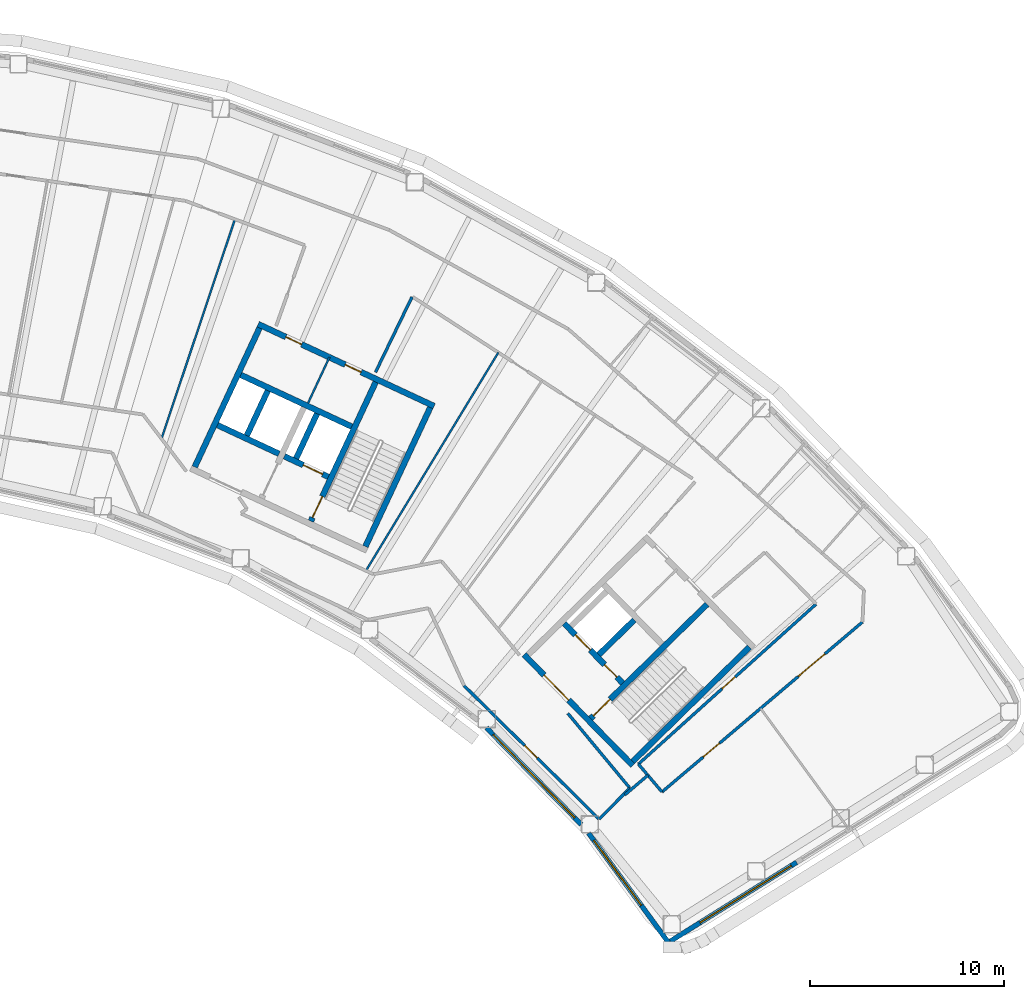
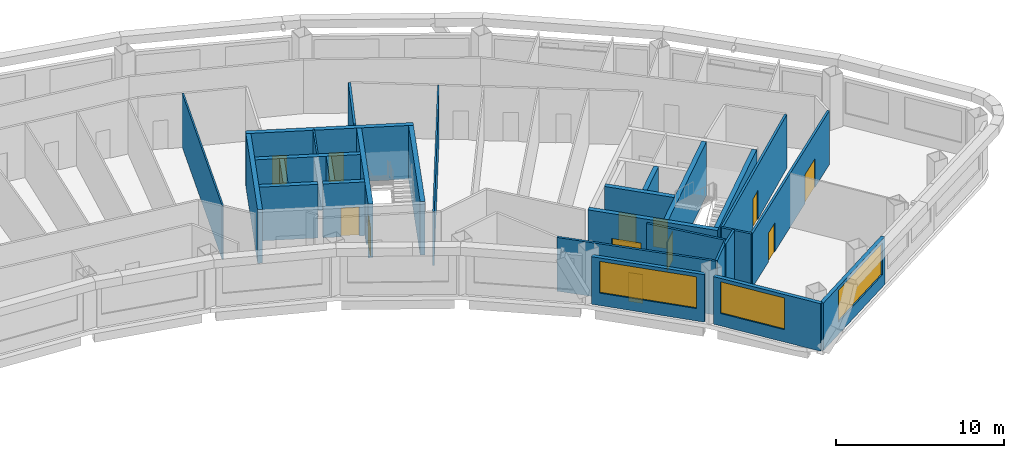
# One storey, part 9 of 17: 28 walls, 12 doors, 3 windows, 15 openings.
"""IFC4 building model written with IfcOpenShell, lengths in metres."""

from ifc_helpers import new_model, si_unit, direction, frame, frame_2d, origin, place, context, subcontext, project, spatial, rectangle, extrude, material, layer, layer_set, type_object, element, fill, save


model = new_model("IFC4")

# Units and contexts
model_context = context("Model", 3, precision=1e-05, world=origin(), true_north=direction((0.0, 1.0)))
body_context = subcontext(model_context, "Body", "Model", "MODEL_VIEW")
ifc_project = project(units=[si_unit("LENGTHUNIT", "METRE"), si_unit("AREAUNIT", "SQUARE_METRE"), si_unit("VOLUMEUNIT", "CUBIC_METRE"), si_unit("PLANEANGLEUNIT", "RADIAN"), si_unit("MASSUNIT", "GRAM", prefix="KILO")], contexts=[model_context])

# Site, building, storey
site_placement = place(None, origin())
site = spatial("IfcSite", under=ifc_project, at=site_placement, CompositionType="ELEMENT")
building_placement = place(site_placement, origin())
building = spatial("IfcBuilding", under=site, at=building_placement, Name="Tuul Gate Civic Tower", CompositionType="ELEMENT")
storey_placement = place(building_placement, frame((0.0, 0.0, 222.10009765625)))
storey = spatial("IfcBuildingStorey", under=building, at=storey_placement, Name="Level 50", CompositionType="ELEMENT", Elevation=222.10009765625)

# Wall, opening, door
ifc_material_1 = material(Name="Concrete C50/60", Category="concrete")
ifc_layer_1 = layer(ifc_material_1, 0.300048828125)
ifc_layer_set_1 = layer_set([ifc_layer_1], Name="Concrete C50/60")
wall_type_1 = type_object("IfcWallType", Name="Core wall C50/60", PredefinedType="SHEAR", material=ifc_layer_set_1)
wall_1_placement = place(storey_placement, frame((48.22509765625, -18.327880859375, 0.0), z_axis=(0.0, 0.0, 1.0), x_axis=(-0.700021979774, 0.714121297703, 0.0)))
wall_1 = element("IfcWall", 1, at=wall_1_placement, inside=storey, type_object=wall_type_1, Name="Core wall", PredefinedType="SHEAR", context=body_context, shape_type="SweptSolid", body=[
    extrude(rectangle(XDim=8.0, YDim=0.300048828125, at=frame_2d((4.0, 0.0))), origin(), (0.0, 0.0, 1.0), 3.89990234375),
])
opening_1_placement = place(wall_1_placement, frame((4.72509765625, 0.0, 0.0)))
opening_1 = element("IfcOpeningElement", 2, at=opening_1_placement, cuts=wall_1, Name="Opening LB-E1-LOBBY-1", PredefinedType="OPENING", context=body_context, shape_type="SweptSolid", body=[
    extrude(rectangle(XDim=1.800048828125, YDim=2.10009765625, at=frame_2d((0.89990234375, 1.050048828125))), frame((0.0, 0.16015625, 0.0), z_axis=(0.0, -1.0, 0.0), x_axis=(1.0, 0.0, 0.0)), (0.0, 0.0, 1.0), 0.320068359375),
])
ifc_material_2 = material(Name="Steel", Category="steel")
door_type_1 = type_object("IfcDoorType", Name="Lobby door", OperationType="DOUBLE_DOOR_SINGLE_SWING", PredefinedType="DOOR", material=ifc_material_2)
door_1_placement = place(opening_1_placement, frame((1.800048828125, 0.0, 0.0), z_axis=(0.0, 0.0, 1.0), x_axis=(-1.0, 0.0, 0.0)))
door_1 = element("IfcDoor", 3, at=door_1_placement, inside=storey, type_object=door_type_1, Name="Lobby door E1-LOBBY", OperationType="DOUBLE_DOOR_SINGLE_SWING", OverallHeight=2.10009765625, OverallWidth=1.800048828125, PredefinedType="DOOR", context=body_context, shape_type="SweptSolid", body=[
    extrude(rectangle(XDim=1.800048828125, YDim=2.10009765625, at=frame_2d((0.900146484375, 1.050048828125))), frame((0.0, 0.02490234375, 0.0), z_axis=(0.0, -1.0, 0.0), x_axis=(1.0, 0.0, 0.0)), (0.0, 0.0, 1.0), 0.050048828125),
])
fill(opening_1, door_1)

# Wall, openings, doors
wall_2_placement = place(storey_placement, frame((47.701904296875, -14.079833984375, 0.0), z_axis=(0.0, 0.0, 1.0), x_axis=(-0.700002721075, 0.714140175657, 0.0)))
wall_2 = element("IfcWall", 4, at=wall_2_placement, inside=storey, type_object=wall_type_1, Name="Core wall", PredefinedType="SHEAR", context=body_context, shape_type="SweptSolid", body=[
    extrude(rectangle(XDim=4.300048828125, YDim=0.300048828125, at=frame_2d((2.14990234375, 0.0))), origin(), (0.0, 0.0, 1.0), 3.89990234375),
])
opening_2_placement = place(wall_2_placement, frame((0.425048828125, 0.0, 0.0)))
opening_2 = element("IfcOpeningElement", 5, at=opening_2_placement, cuts=wall_2, Name="Opening FB-E1A1", PredefinedType="OPENING", context=body_context, shape_type="SweptSolid", body=[
    extrude(rectangle(XDim=0.89990234375, YDim=2.10009765625, at=frame_2d((0.449951171875, 1.050048828125))), frame((0.0, 0.16015625, 0.0), z_axis=(0.0, -1.0, 0.0), x_axis=(1.0, 0.0, 0.0)), (0.0, 0.0, 1.0), 0.320068359375),
])
opening_3_placement = place(wall_2_placement, frame((2.375, 0.0, 0.0)))
opening_3 = element("IfcOpeningElement", 6, at=opening_3_placement, cuts=wall_2, Name="Opening LD-M3", PredefinedType="OPENING", context=body_context, shape_type="SweptSolid", body=[
    extrude(rectangle(XDim=1.10009765625, YDim=2.10009765625, at=frame_2d((0.550048828125, 1.050048828125))), frame((0.0, 0.16015625, 0.0), z_axis=(0.0, -1.0, 0.0), x_axis=(1.0, 0.0, 0.0)), (0.0, 0.0, 1.0), 0.320068359375),
])
ifc_material_3 = material(Name="Stainless steel", Category="steel")
door_type_2 = type_object("IfcDoorType", Name="Landing door", OperationType="DOUBLE_DOOR_SLIDING", PredefinedType="DOOR", material=ifc_material_3)
door_2_placement = place(opening_3_placement, origin())
door_2 = element("IfcDoor", 7, at=door_2_placement, inside=storey, type_object=door_type_2, Name="Mid-rise lift M3 landing door", OperationType="DOUBLE_DOOR_SLIDING", OverallHeight=2.10009765625, OverallWidth=1.10009765625, PredefinedType="DOOR", context=body_context, shape_type="SweptSolid", body=[
    extrude(rectangle(XDim=1.10009765625, YDim=2.10009765625, at=frame_2d((0.550048828125, 1.050048828125))), frame((0.0, 0.02490234375, 0.0), z_axis=(0.0, -1.0, 0.0), x_axis=(1.0, 0.0, 0.0)), (0.0, 0.0, 1.0), 0.050048828125),
])
fill(opening_3, door_2)
ifc_material_4 = material(Name="Steel", Category="steel")
door_type_3 = type_object("IfcDoorType", Name="Store door", OperationType="NOTDEFINED", PredefinedType="DOOR", material=ifc_material_4)
door_3_placement = place(opening_2_placement, frame((0.89990234375, 0.0, 0.0), z_axis=(0.0, 0.0, 1.0), x_axis=(-1.0, 0.0, 0.0)))
door_3 = element("IfcDoor", 8, at=door_3_placement, inside=storey, type_object=door_type_3, Name="Store door E1A1", OperationType="SINGLE_SWING_RIGHT", OverallHeight=2.10009765625, OverallWidth=0.89990234375, PredefinedType="DOOR", context=body_context, shape_type="SweptSolid", body=[
    extrude(rectangle(XDim=0.89990234375, YDim=2.10009765625, at=frame_2d((0.449951171875, 1.050048828125))), frame((0.0, 0.02490234375, 0.0), z_axis=(0.0, -1.0, 0.0), x_axis=(1.0, 0.0, 0.0)), (0.0, 0.0, 1.0), 0.050048828125),
])
fill(opening_2, door_3)

# Wall
wall_3_placement = place(storey_placement, frame((48.227294921875, -18.115966796875, 0.0), z_axis=(0.0, 0.0, 1.0), x_axis=(0.714105315431, 0.700038283577, 0.0)))
element("IfcWall", 9, at=wall_3_placement, inside=storey, type_object=wall_type_1, Name="Core wall", PredefinedType="SHEAR", context=body_context, shape_type="SweptSolid", body=[
    extrude(rectangle(XDim=8.400146484375, YDim=0.300048828125, at=frame_2d((4.2001953125, 0.0))), origin(), (0.0, 0.0, 1.0), 3.89990234375),
])

# Wall, opening, door
wall_4_placement = place(storey_placement, frame((46.05712890625, -15.902099609375, 0.0), z_axis=(0.0, 0.0, 1.0), x_axis=(0.714134086973, 0.700008932674, 0.0)))
wall_4 = element("IfcWall", 10, at=wall_4_placement, inside=storey, type_object=wall_type_1, Name="Core wall", PredefinedType="SHEAR", context=body_context, shape_type="SweptSolid", body=[
    extrude(rectangle(XDim=8.400146484375, YDim=0.300048828125, at=frame_2d((4.2001953125, 0.0))), origin(), (0.0, 0.0, 1.0), 3.89990234375),
])
opening_4_placement = place(wall_4_placement, frame((0.199951171875, 0.0, 0.0)))
opening_4 = element("IfcOpeningElement", 11, at=opening_4_placement, cuts=wall_4, Name="Opening SD-ST-3", PredefinedType="OPENING", context=body_context, shape_type="SweptSolid", body=[
    extrude(rectangle(XDim=1.199951171875, YDim=2.10009765625, at=frame_2d((0.60009765625, 1.050048828125))), frame((0.0, 0.16015625, 0.0), z_axis=(0.0, -1.0, 0.0), x_axis=(1.0, 0.0, 0.0)), (0.0, 0.0, 1.0), 0.320068359375),
])
ifc_material_5 = material(Name="Steel", Category="steel")
door_type_4 = type_object("IfcDoorType", Name="Stair door", OperationType="NOTDEFINED", PredefinedType="DOOR", material=ifc_material_5)
door_4_placement = place(opening_4_placement, origin())
door_4 = element("IfcDoor", 12, at=door_4_placement, inside=storey, type_object=door_type_4, Name="Stair door ST-3", OperationType="SINGLE_SWING_LEFT", OverallHeight=2.10009765625, OverallWidth=1.199951171875, PredefinedType="DOOR", context=body_context, shape_type="SweptSolid", body=[
    extrude(rectangle(XDim=1.199951171875, YDim=2.10009765625, at=frame_2d((0.60009765625, 1.050048828125))), frame((0.0, 0.02490234375, 0.0), z_axis=(0.0, -1.0, 0.0), x_axis=(1.0, 0.0, 0.0)), (0.0, 0.0, 1.0), 0.050048828125),
])
fill(opening_4, door_4)

# Wall
wall_5_placement = place(storey_placement, frame((46.47900390625, -12.617919921875, 0.0), z_axis=(0.0, 0.0, 1.0), x_axis=(0.71410944159, 0.700034074479, 0.0)))
element("IfcWall", 13, at=wall_5_placement, inside=storey, type_object=wall_type_1, Name="Core wall", PredefinedType="SHEAR", context=body_context, shape_type="SweptSolid", body=[
    extrude(rectangle(XDim=2.5498046875, YDim=0.300048828125, at=frame_2d((1.27490234375, 0.0))), origin(), (0.0, 0.0, 1.0), 3.89990234375),
])

# Wall, opening, door
wall_6_placement = place(storey_placement, frame((32.545654296875, -3.456787109375, 0.0), z_axis=(0.0, 0.0, 1.0), x_axis=(-0.906300357825, 0.42263419337, 0.0)))
wall_6 = element("IfcWall", 14, at=wall_6_placement, inside=storey, type_object=wall_type_1, Name="Core wall", PredefinedType="SHEAR", context=body_context, shape_type="SweptSolid", body=[
    extrude(rectangle(XDim=2.500244140625, YDim=0.300048828125, at=frame_2d((1.25, 0.0))), origin(), (0.0, 0.0, 1.0), 3.89990234375),
])
opening_5_placement = place(wall_6_placement, frame((0.324951171875, 0.0, 0.0)))
opening_5 = element("IfcOpeningElement", 15, at=opening_5_placement, cuts=wall_6, Name="Opening LD-FF-2", PredefinedType="OPENING", context=body_context, shape_type="SweptSolid", body=[
    extrude(rectangle(XDim=1.10009765625, YDim=2.10009765625, at=frame_2d((0.550048828125, 1.050048828125))), frame((0.0, 0.16015625, 0.0), z_axis=(0.0, -1.0, 0.0), x_axis=(1.0, 0.0, 0.0)), (0.0, 0.0, 1.0), 0.320068359375),
])
door_5_placement = place(opening_5_placement, origin())
door_5 = element("IfcDoor", 16, at=door_5_placement, inside=storey, type_object=door_type_2, Name="Fire-fighting lift FF-2 landing door", OperationType="DOUBLE_DOOR_SLIDING", OverallHeight=2.10009765625, OverallWidth=1.10009765625, PredefinedType="DOOR", context=body_context, shape_type="SweptSolid", body=[
    extrude(rectangle(XDim=1.10009765625, YDim=2.10009765625, at=frame_2d((0.550048828125, 1.050048828125))), frame((0.0, 0.02490234375, 0.0), z_axis=(0.0, -1.0, 0.0), x_axis=(1.0, 0.0, 0.0)), (0.0, 0.0, 1.0), 0.050048828125),
])
fill(opening_5, door_5)

# Walls
wall_7_placement = place(storey_placement, frame((30.0078125, -2.2734375, 0.0), z_axis=(0.0, 0.0, 1.0), x_axis=(-0.90630071767, 0.422633421716, 0.0)))
element("IfcWall", 17, at=wall_7_placement, inside=storey, type_object=wall_type_1, Name="Core wall", PredefinedType="SHEAR", context=body_context, shape_type="SweptSolid", body=[
    extrude(rectangle(XDim=3.5, YDim=0.300048828125, at=frame_2d((1.75, 0.0))), origin(), (0.0, 0.0, 1.0), 3.89990234375),
])
wall_8_placement = place(storey_placement, frame((33.75, -0.873779296875, 0.0), z_axis=(0.0, 0.0, 1.0), x_axis=(-0.906300917592, 0.422632992999, 0.0)))
element("IfcWall", 18, at=wall_8_placement, inside=storey, type_object=wall_type_1, Name="Core wall", PredefinedType="SHEAR", context=body_context, shape_type="SweptSolid", body=[
    extrude(rectangle(XDim=6.300048828125, YDim=0.300048828125, at=frame_2d((3.14990234375, 0.0))), origin(), (0.0, 0.0, 1.0), 3.89990234375),
])

# Wall, openings, doors
wall_9_placement = place(storey_placement, frame((37.993408203125, 0.181884765625, 0.0), z_axis=(0.0, 0.0, 1.0), x_axis=(-0.906310338845, 0.422612789327, 0.0)))
wall_9 = element("IfcWall", 19, at=wall_9_placement, inside=storey, type_object=wall_type_1, Name="Core wall", PredefinedType="SHEAR", context=body_context, shape_type="SweptSolid", body=[
    extrude(rectangle(XDim=9.999755859375, YDim=0.300048828125, at=frame_2d((5.0, 0.0))), origin(), (0.0, 0.0, 1.0), 3.89990234375),
])
opening_6_placement = place(wall_9_placement, frame((4.14990234375, 0.0, 0.0)))
opening_6 = element("IfcOpeningElement", 20, at=opening_6_placement, cuts=wall_9, Name="Opening R-D47", PredefinedType="OPENING", context=body_context, shape_type="SweptSolid", body=[
    extrude(rectangle(XDim=0.89990234375, YDim=2.10009765625, at=frame_2d((0.449951171875, 1.050048828125))), frame((0.0, 0.16015625, 0.0), z_axis=(0.0, -1.0, 0.0), x_axis=(1.0, 0.0, 0.0)), (0.0, 0.0, 1.0), 0.320068359375),
])
opening_7_placement = place(wall_9_placement, frame((7.52490234375, 0.0, 0.0)))
opening_7 = element("IfcOpeningElement", 21, at=opening_7_placement, cuts=wall_9, Name="Opening R-D48", PredefinedType="OPENING", context=body_context, shape_type="SweptSolid", body=[
    extrude(rectangle(XDim=0.89990234375, YDim=2.10009765625, at=frame_2d((0.449951171875, 1.050048828125))), frame((0.0, 0.16015625, 0.0), z_axis=(0.0, -1.0, 0.0), x_axis=(1.0, 0.0, 0.0)), (0.0, 0.0, 1.0), 0.320068359375),
])
ifc_material_6 = material(Name="Timber door leaf", Category="wood")
door_type_5 = type_object("IfcDoorType", Name="Door D09", OperationType="NOTDEFINED", PredefinedType="DOOR", material=ifc_material_6)
door_6_placement = place(opening_6_placement, origin())
door_6 = element("IfcDoor", 22, at=door_6_placement, inside=storey, type_object=door_type_5, Name="Door R-D47", OperationType="SINGLE_SWING_LEFT", OverallHeight=2.10009765625, OverallWidth=0.89990234375, PredefinedType="DOOR", context=body_context, shape_type="SweptSolid", body=[
    extrude(rectangle(XDim=0.89990234375, YDim=2.10009765625, at=frame_2d((0.449951171875, 1.050048828125))), frame((0.0, 0.02490234375, 0.0), z_axis=(0.0, -1.0, 0.0), x_axis=(1.0, 0.0, 0.0)), (0.0, 0.0, 1.0), 0.050048828125),
])
fill(opening_6, door_6)
door_7_placement = place(opening_7_placement, origin())
door_7 = element("IfcDoor", 23, at=door_7_placement, inside=storey, type_object=door_type_5, Name="Door R-D48", OperationType="SINGLE_SWING_RIGHT", OverallHeight=2.10009765625, OverallWidth=0.89990234375, PredefinedType="DOOR", context=body_context, shape_type="SweptSolid", body=[
    extrude(rectangle(XDim=0.89990234375, YDim=2.10009765625, at=frame_2d((0.449951171875, 1.050048828125))), frame((0.0, 0.02490234375, 0.0), z_axis=(0.0, -1.0, 0.0), x_axis=(1.0, 0.0, 0.0)), (0.0, 0.0, 1.0), 0.050048828125),
])
fill(opening_7, door_7)

# Wall
wall_10_placement = place(storey_placement, frame((34.455810546875, -7.05078125, 0.0), z_axis=(0.0, 0.0, 1.0), x_axis=(0.422570768258, 0.906329932096, 0.0)))
element("IfcWall", 24, at=wall_10_placement, inside=storey, type_object=wall_type_1, Name="Core wall", PredefinedType="SHEAR", context=body_context, shape_type="SweptSolid", body=[
    extrude(rectangle(XDim=7.900146484375, YDim=0.300048828125, at=frame_2d((3.9501953125, 0.0))), origin(), (0.0, 0.0, 1.0), 3.89990234375),
])

# Wall, opening, door
wall_11_placement = place(storey_placement, frame((31.646240234375, -5.740478515625, 0.0), z_axis=(0.0, 0.0, 1.0), x_axis=(0.422582604137, 0.906324413596, 0.0)))
wall_11 = element("IfcWall", 25, at=wall_11_placement, inside=storey, type_object=wall_type_1, Name="Core wall", PredefinedType="SHEAR", context=body_context, shape_type="SweptSolid", body=[
    extrude(rectangle(XDim=7.89990234375, YDim=0.300048828125, at=frame_2d((3.949951171875, 0.0))), origin(), (0.0, 0.0, 1.0), 3.89990234375),
])
opening_8_placement = place(wall_11_placement, frame((0.199951171875, 0.0, 0.0)))
opening_8 = element("IfcOpeningElement", 26, at=opening_8_placement, cuts=wall_11, Name="Opening SD-ST-4", PredefinedType="OPENING", context=body_context, shape_type="SweptSolid", body=[
    extrude(rectangle(XDim=1.199951171875, YDim=2.10009765625, at=frame_2d((0.60009765625, 1.050048828125))), frame((0.0, 0.16015625, 0.0), z_axis=(0.0, -1.0, 0.0), x_axis=(1.0, 0.0, 0.0)), (0.0, 0.0, 1.0), 0.320068359375),
])
door_8_placement = place(opening_8_placement, origin())
door_8 = element("IfcDoor", 27, at=door_8_placement, inside=storey, type_object=door_type_4, Name="Stair door ST-4", OperationType="SINGLE_SWING_LEFT", OverallHeight=2.10009765625, OverallWidth=1.199951171875, PredefinedType="DOOR", context=body_context, shape_type="SweptSolid", body=[
    extrude(rectangle(XDim=1.199951171875, YDim=2.10009765625, at=frame_2d((0.60009765625, 1.050048828125))), frame((0.0, 0.02490234375, 0.0), z_axis=(0.0, -1.0, 0.0), x_axis=(1.0, 0.0, 0.0)), (0.0, 0.0, 1.0), 0.050048828125),
])
fill(opening_8, door_8)

# Walls
for number, where, z_axis, x_axis, name in (
    (28, (30.886962890625, -2.517822265625, 0.0), (0.0, 0.0, 1.0), (0.422612891016, 0.906310291427, 0.0), "Core wall"),
    (29, (28.349365234375, -1.33447265625, 0.0), (0.0, 0.0, 1.0), (0.422612891016, 0.906310291427, 0.0), "Core wall"),
):
    element("IfcWall", number, at=place(storey_placement, frame(where, z_axis=z_axis, x_axis=x_axis)), inside=storey, type_object=wall_type_1, Name=name, PredefinedType="SHEAR", context=body_context, shape_type="SweptSolid", body=[
        extrude(rectangle(XDim=2.550048828125, YDim=0.300048828125, at=frame_2d((1.27490234375, 0.0))), origin(), (0.0, 0.0, 1.0), 3.89990234375),
    ])
wall_12_placement = place(storey_placement, frame((25.66455078125, -2.951416015625, 0.0), z_axis=(0.0, 0.0, 1.0), x_axis=(0.422582604137, 0.906324413596, 0.0)))
element("IfcWall", 30, at=wall_12_placement, inside=storey, type_object=wall_type_1, Name="Core wall", PredefinedType="SHEAR", context=body_context, shape_type="SweptSolid", body=[
    extrude(rectangle(XDim=7.89990234375, YDim=0.300048828125, at=frame_2d((3.949951171875, 0.0))), origin(), (0.0, 0.0, 1.0), 3.89990234375),
])

# Wall, opening, door
ifc_material_7 = material(Name="Gypsum board partition")
ifc_layer_2 = layer(ifc_material_7, 0.14990234375)
ifc_layer_set_2 = layer_set([ifc_layer_2], Name="Gypsum board partition")
wall_type_2 = type_object("IfcWallType", Name="Corridor wall P150", PredefinedType="PARTITIONING", material=ifc_layer_set_2)
wall_13_placement = place(storey_placement, frame((39.54248046875, -14.2216796875, 0.0), z_axis=(0.0, 0.0, 1.0), x_axis=(0.711267663184, -0.702921269638, 0.0)))
wall_13 = element("IfcWall", 31, at=wall_13_placement, inside=storey, type_object=wall_type_2, Name="p031", PredefinedType="PARTITIONING", context=body_context, shape_type="SweptSolid", body=[
    extrude(rectangle(XDim=9.769775390625, YDim=0.14990234375, at=frame_2d((4.884765625, 0.0))), origin(), (0.0, 0.0, 1.0), 3.89990234375),
])
opening_9_placement = place(wall_13_placement, frame((4.385498046875, 0.0, 0.0)))
opening_9 = element("IfcOpeningElement", 32, at=opening_9_placement, cuts=wall_13, Name="Opening R-D07", PredefinedType="OPENING", context=body_context, shape_type="SweptSolid", body=[
    extrude(rectangle(XDim=0.89990234375, YDim=2.10009765625, at=frame_2d((0.449951171875, 1.050048828125))), frame((0.0, 0.0849609375, 0.0), z_axis=(0.0, -1.0, 0.0), x_axis=(1.0, 0.0, 0.0)), (0.0, 0.0, 1.0), 0.169921875),
])
door_9_placement = place(opening_9_placement, origin())
door_9 = element("IfcDoor", 33, at=door_9_placement, inside=storey, type_object=door_type_5, Name="Door R-D07", OperationType="SINGLE_SWING_RIGHT", OverallHeight=2.10009765625, OverallWidth=0.89990234375, PredefinedType="DOOR", context=body_context, shape_type="SweptSolid", body=[
    extrude(rectangle(XDim=0.89990234375, YDim=2.10009765625, at=frame_2d((0.449951171875, 1.050048828125))), frame((0.0, 0.02490234375, 0.0), z_axis=(0.0, -1.0, 0.0), x_axis=(1.0, 0.0, 0.0)), (0.0, 0.0, 1.0), 0.050048828125),
])
fill(opening_9, door_9)

# Walls
wall_14_placement = place(storey_placement, frame((47.816650390625, -19.8369140625, 0.0), z_axis=(0.0, 0.0, 1.0), x_axis=(0.762844443922, 0.64658205541, 0.0)))
element("IfcWall", 34, at=wall_14_placement, inside=storey, type_object=wall_type_2, Name="p032", PredefinedType="PARTITIONING", context=body_context, shape_type="SweptSolid", body=[
    extrude(rectangle(XDim=1.55615234375, YDim=0.14990234375, at=frame_2d((0.778076171875, 0.0))), origin(), (0.0, 0.0, 1.0), 3.89990234375),
])
wall_15_placement = place(storey_placement, frame((46.492431640625, -21.089111328125, 0.0), z_axis=(0.0, 0.0, 1.0), x_axis=(0.702914289472, 0.711274561373, 0.0)))
element("IfcWall", 35, at=wall_15_placement, inside=storey, type_object=wall_type_2, Name="p041", PredefinedType="PARTITIONING", context=body_context, shape_type="SweptSolid", body=[
    extrude(rectangle(XDim=2.24853515625, YDim=0.14990234375, at=frame_2d((1.124267578125, 0.0))), origin(), (0.0, 0.0, 1.0), 3.89990234375),
])
wall_16_placement = place(storey_placement, frame((44.879150390625, -15.640625, 0.0), z_axis=(0.0, 0.0, 1.0), x_axis=(0.638680118875, -0.769472355419, 0.0)))
element("IfcWall", 36, at=wall_16_placement, inside=storey, type_object=wall_type_2, Name="p043", PredefinedType="PARTITIONING", context=body_context, shape_type="SweptSolid", body=[
    extrude(rectangle(XDim=5.000732421875, YDim=0.14990234375, at=frame_2d((2.50048828125, 0.0))), origin(), (0.0, 0.0, 1.0), 3.89990234375),
])

# Wall, opening, door
wall_17_placement = place(storey_placement, frame((48.515380859375, -18.253662109375, 0.0), z_axis=(0.0, 0.0, 1.0), x_axis=(0.743122459302, 0.669155445678, 0.0)))
wall_17 = element("IfcWall", 37, at=wall_17_placement, inside=storey, type_object=wall_type_2, Name="p047", PredefinedType="PARTITIONING", context=body_context, shape_type="SweptSolid", body=[
    extrude(rectangle(XDim=12.304931640625, YDim=0.14990234375, at=frame_2d((6.15234375, 0.0))), origin(), (0.0, 0.0, 1.0), 3.89990234375),
])
opening_10_placement = place(wall_17_placement, frame((5.802001953125, 0.0, 0.0)))
opening_10 = element("IfcOpeningElement", 38, at=opening_10_placement, cuts=wall_17, Name="Opening R-D11", PredefinedType="OPENING", context=body_context, shape_type="SweptSolid", body=[
    extrude(rectangle(XDim=0.89990234375, YDim=2.10009765625, at=frame_2d((0.449951171875, 1.050048828125))), frame((0.0, 0.0849609375, 0.0), z_axis=(0.0, -1.0, 0.0), x_axis=(1.0, 0.0, 0.0)), (0.0, 0.0, 1.0), 0.169921875),
])
door_10_placement = place(opening_10_placement, frame((0.89990234375, 0.0, 0.0), z_axis=(0.0, 0.0, 1.0), x_axis=(-1.0, 0.0, 0.0)))
door_10 = element("IfcDoor", 39, at=door_10_placement, inside=storey, type_object=door_type_5, Name="Door R-D11", OperationType="SINGLE_SWING_LEFT", OverallHeight=2.10009765625, OverallWidth=0.89990234375, PredefinedType="DOOR", context=body_context, shape_type="SweptSolid", body=[
    extrude(rectangle(XDim=0.89990234375, YDim=2.10009765625, at=frame_2d((0.449951171875, 1.050048828125))), frame((0.0, 0.02490234375, 0.0), z_axis=(0.0, -1.0, 0.0), x_axis=(1.0, 0.0, 0.0)), (0.0, 0.0, 1.0), 0.050048828125),
])
fill(opening_10, door_10)

# Walls
wall_18_placement = place(storey_placement, frame((48.515380859375, -18.254638671875, 0.0), z_axis=(0.0, 0.0, 1.0), x_axis=(0.646576799747, -0.762848898556, 0.0)))
element("IfcWall", 40, at=wall_18_placement, inside=storey, type_object=wall_type_2, Name="p048", PredefinedType="PARTITIONING", context=body_context, shape_type="SweptSolid", body=[
    extrude(rectangle(XDim=1.879150390625, YDim=0.14990234375, at=frame_2d((0.939453125, 0.0))), origin(), (0.0, 0.0, 1.0), 3.89990234375),
])
wall_19_placement = place(storey_placement, frame((34.973388671875, 1.922119140625, 0.0), z_axis=(0.0, 0.0, 1.0), x_axis=(0.436176291331, 0.899861235347, 0.0)))
element("IfcWall", 41, at=wall_19_placement, inside=storey, type_object=wall_type_2, Name="p059", PredefinedType="PARTITIONING", context=body_context, shape_type="SweptSolid", body=[
    extrude(rectangle(XDim=4.313232421875, YDim=0.14990234375, at=frame_2d((2.15673828125, 0.0))), origin(), (0.0, 0.0, 1.0), 3.89990234375),
])

# Wall, openings, doors
wall_20_placement = place(storey_placement, frame((49.731689453125, -19.6884765625, 0.0), z_axis=(0.0, 0.0, 1.0), x_axis=(0.762825626079, 0.646604256247, 0.0)))
wall_20 = element("IfcWall", 42, at=wall_20_placement, inside=storey, type_object=wall_type_2, Name="p110", PredefinedType="PARTITIONING", context=body_context, shape_type="SweptSolid", body=[
    extrude(rectangle(XDim=13.534423828125, YDim=0.14990234375, at=frame_2d((6.76708984375, 0.0))), origin(), (0.0, 0.0, 1.0), 3.89990234375),
])
opening_11_placement = place(wall_20_placement, frame((9.1953125, 0.0, 0.0)))
opening_11 = element("IfcOpeningElement", 43, at=opening_11_placement, cuts=wall_20, Name="Opening R-D38", PredefinedType="OPENING", context=body_context, shape_type="SweptSolid", body=[
    extrude(rectangle(XDim=1.800048828125, YDim=2.10009765625, at=frame_2d((0.89990234375, 1.050048828125))), frame((0.0, 0.0849609375, 0.0), z_axis=(0.0, -1.0, 0.0), x_axis=(1.0, 0.0, 0.0)), (0.0, 0.0, 1.0), 0.169921875),
])
opening_12_placement = place(wall_20_placement, frame((2.778076171875, 0.0, 0.0)))
opening_12 = element("IfcOpeningElement", 44, at=opening_12_placement, cuts=wall_20, Name="Opening R-D39", PredefinedType="OPENING", context=body_context, shape_type="SweptSolid", body=[
    extrude(rectangle(XDim=1.10009765625, YDim=2.10009765625, at=frame_2d((0.550048828125, 1.050048828125))), frame((0.0, 0.0849609375, 0.0), z_axis=(0.0, -1.0, 0.0), x_axis=(1.0, 0.0, 0.0)), (0.0, 0.0, 1.0), 0.169921875),
])
ifc_material_8 = material(Name="Timber door leaf", Category="wood")
door_type_6 = type_object("IfcDoorType", Name="Door D11", OperationType="NOTDEFINED", PredefinedType="DOOR", material=ifc_material_8)
door_11_placement = place(opening_12_placement, frame((1.10009765625, 0.0, 0.0), z_axis=(0.0, 0.0, 1.0), x_axis=(-1.0, 0.0, 0.0)))
door_11 = element("IfcDoor", 45, at=door_11_placement, inside=storey, type_object=door_type_6, Name="Door R-D39", OperationType="SINGLE_SWING_LEFT", OverallHeight=2.10009765625, OverallWidth=1.10009765625, PredefinedType="DOOR", context=body_context, shape_type="SweptSolid", body=[
    extrude(rectangle(XDim=1.10009765625, YDim=2.10009765625, at=frame_2d((0.550048828125, 1.050048828125))), frame((0.0, 0.02490234375, 0.0), z_axis=(0.0, -1.0, 0.0), x_axis=(1.0, 0.0, 0.0)), (0.0, 0.0, 1.0), 0.050048828125),
])
fill(opening_12, door_11)
ifc_material_9 = material(Name="Timber door leaf, double", Category="wood")
door_type_7 = type_object("IfcDoorType", Name="Door D18", OperationType="DOUBLE_DOOR_SINGLE_SWING", PredefinedType="DOOR", material=ifc_material_9)
door_12_placement = place(opening_11_placement, frame((1.800048828125, 0.0, 0.0), z_axis=(0.0, 0.0, 1.0), x_axis=(-1.0, 0.0, 0.0)))
door_12 = element("IfcDoor", 46, at=door_12_placement, inside=storey, type_object=door_type_7, Name="Door R-D38", OperationType="DOUBLE_DOOR_SINGLE_SWING", OverallHeight=2.10009765625, OverallWidth=1.800048828125, PredefinedType="DOOR", context=body_context, shape_type="SweptSolid", body=[
    extrude(rectangle(XDim=1.800048828125, YDim=2.10009765625, at=frame_2d((0.900146484375, 1.050048828125))), frame((0.0, 0.02490234375, 0.0), z_axis=(0.0, -1.0, 0.0), x_axis=(1.0, 0.0, 0.0)), (0.0, 0.0, 1.0), 0.050048828125),
])
fill(opening_11, door_12)

# Wall, opening, window
ifc_material_10 = material(Name="Precast concrete C40/50", Category="concrete")
ifc_layer_3 = layer(ifc_material_10, 0.25)
ifc_layer_set_3 = layer_set([ifc_layer_3], Name="Precast concrete C40/50")
wall_type_3 = type_object("IfcWallType", Name="External wall", PredefinedType="STANDARD", material=ifc_layer_set_3)
wall_21_placement = place(storey_placement, frame((40.69287109375, -16.387939453125, 0.0), z_axis=(0.0, 0.0, 1.0), x_axis=(0.700029726531, -0.714113703813, 0.0)))
wall_21 = element("IfcWall", 47, at=wall_21_placement, inside=storey, type_object=wall_type_3, Name="External wall", PredefinedType="STANDARD", context=body_context, shape_type="SweptSolid", body=[
    extrude(rectangle(XDim=6.968505859375, YDim=0.25, at=frame_2d((3.484375, 0.0))), origin(), (0.0, 0.0, 1.0), 3.449951171875),
])
opening_13_placement = place(wall_21_placement, frame((0.484130859375, 0.0, 0.89990234375)))
opening_13 = element("IfcOpeningElement", 48, at=opening_13_placement, cuts=wall_21, Name="Opening W26", PredefinedType="OPENING", context=body_context, shape_type="SweptSolid", body=[
    extrude(rectangle(XDim=6.0, YDim=2.300048828125, at=frame_2d((3.0, 1.14990234375))), frame((0.0, 0.135009765625, 0.0), z_axis=(0.0, -1.0, 0.0), x_axis=(1.0, 0.0, 0.0)), (0.0, 0.0, 1.0), 0.27001953125),
])
ifc_material_11 = material(Name="Glass", Category="glass")
window_type_1 = type_object("IfcWindowType", Name="Window W26 6000 x 2300", PartitioningType="SINGLE_PANEL", PredefinedType="WINDOW", material=ifc_material_11)
window_1_placement = place(opening_13_placement, origin())
window_1 = element("IfcWindow", 49, at=window_1_placement, inside=storey, type_object=window_type_1, Name="Window", OverallHeight=2.300048828125, OverallWidth=6.0, PartitioningType="SINGLE_PANEL", PredefinedType="WINDOW", context=body_context, shape_type="SweptSolid", body=[
    extrude(rectangle(XDim=6.0, YDim=2.300048828125, at=frame_2d((3.0, 1.14990234375))), frame((0.0, 0.030029296875, 0.0), z_axis=(0.0, -1.0, 0.0), x_axis=(1.0, 0.0, 0.0)), (0.0, 0.0, 1.0), 0.06005859375),
])
fill(opening_13, window_1)

wall_22_placement = place(storey_placement, frame((45.947265625, -21.80908203125, 0.0), z_axis=(0.0, 0.0, 1.0), x_axis=(0.589742622716, -0.807591257353, 0.0)))
wall_22 = element("IfcWall", 50, at=wall_22_placement, inside=storey, type_object=wall_type_3, Name="External wall", PredefinedType="STANDARD", context=body_context, shape_type="SweptSolid", body=[
    extrude(rectangle(XDim=6.971923828125, YDim=0.25, at=frame_2d((3.48583984375, 0.0))), origin(), (0.0, 0.0, 1.0), 3.449951171875),
])
opening_14_placement = place(wall_22_placement, frame((0.465576171875, 0.0, 0.89990234375)))
opening_14 = element("IfcOpeningElement", 51, at=opening_14_placement, cuts=wall_22, Name="Opening W25", PredefinedType="OPENING", context=body_context, shape_type="SweptSolid", body=[
    extrude(rectangle(XDim=4.14990234375, YDim=2.300048828125, at=frame_2d((2.074951171875, 1.14990234375))), frame((0.0, 0.135009765625, 0.0), z_axis=(0.0, -1.0, 0.0), x_axis=(1.0, 0.0, 0.0)), (0.0, 0.0, 1.0), 0.27001953125),
])
ifc_material_12 = material(Name="Glass", Category="glass")
window_type_2 = type_object("IfcWindowType", Name="Window W25 4150 x 2300", PartitioningType="SINGLE_PANEL", PredefinedType="WINDOW", material=ifc_material_12)
window_2_placement = place(opening_14_placement, origin())
window_2 = element("IfcWindow", 52, at=window_2_placement, inside=storey, type_object=window_type_2, Name="Window", OverallHeight=2.300048828125, OverallWidth=4.14990234375, PartitioningType="SINGLE_PANEL", PredefinedType="WINDOW", context=body_context, shape_type="SweptSolid", body=[
    extrude(rectangle(XDim=4.14990234375, YDim=2.300048828125, at=frame_2d((2.074951171875, 1.14990234375))), frame((0.0, 0.030029296875, 0.0), z_axis=(0.0, -1.0, 0.0), x_axis=(1.0, 0.0, 0.0)), (0.0, 0.0, 1.0), 0.06005859375),
])
fill(opening_14, window_2)

wall_23_placement = place(storey_placement, frame((50.058837890625, -27.439453125, 0.0), z_axis=(0.0, 0.0, 1.0), x_axis=(0.848052898081, 0.529911579471, 0.0)))
wall_23 = element("IfcWall", 53, at=wall_23_placement, inside=storey, type_object=wall_type_3, Name="External wall", PredefinedType="STANDARD", context=body_context, shape_type="SweptSolid", body=[
    extrude(rectangle(XDim=7.78759765625, YDim=0.25, at=frame_2d((3.893798828125, 0.0))), origin(), (0.0, 0.0, 1.0), 3.449951171875),
])
opening_15_placement = place(wall_23_placement, frame((1.92138671875, 0.0, 0.89990234375)))
opening_15 = element("IfcOpeningElement", 54, at=opening_15_placement, cuts=wall_23, Name="Opening W24", PredefinedType="OPENING", context=body_context, shape_type="SweptSolid", body=[
    extrude(rectangle(XDim=5.550048828125, YDim=2.300048828125, at=frame_2d((2.77490234375, 1.14990234375))), frame((0.0, 0.135009765625, 0.0), z_axis=(0.0, -1.0, 0.0), x_axis=(1.0, 0.0, 0.0)), (0.0, 0.0, 1.0), 0.27001953125),
])
ifc_material_13 = material(Name="Glass", Category="glass")
window_type_3 = type_object("IfcWindowType", Name="Window W24 5550 x 2300", PartitioningType="SINGLE_PANEL", PredefinedType="WINDOW", material=ifc_material_13)
window_3_placement = place(opening_15_placement, origin())
window_3 = element("IfcWindow", 55, at=window_3_placement, inside=storey, type_object=window_type_3, Name="Window", OverallHeight=2.300048828125, OverallWidth=5.550048828125, PartitioningType="SINGLE_PANEL", PredefinedType="WINDOW", context=body_context, shape_type="SweptSolid", body=[
    extrude(rectangle(XDim=5.550048828125, YDim=2.300048828125, at=frame_2d((2.77490234375, 1.14990234375))), frame((0.0, 0.030029296875, 0.0), z_axis=(0.0, -1.0, 0.0), x_axis=(1.0, 0.0, 0.0)), (0.0, 0.0, 1.0), 0.06005859375),
])
fill(opening_15, window_3)

# Walls
ifc_material_14 = material(Name="Gypsum board partition")
ifc_layer_4 = layer(ifc_material_14, 0.10009765625)
ifc_layer_set_4 = layer_set([ifc_layer_4], Name="Gypsum board partition")
wall_type_4 = type_object("IfcWallType", Name="Partition P100", PredefinedType="PARTITIONING", material=ifc_layer_set_4)
wall_24_placement = place(storey_placement, frame((34.482421875, -8.29638671875, 0.0), z_axis=(0.0, 0.0, 1.0), x_axis=(0.518760535459, 0.854919590868, 0.0)))
element("IfcWall", 56, at=wall_24_placement, inside=storey, type_object=wall_type_4, Name="p055", PredefinedType="PARTITIONING", context=body_context, shape_type="SweptSolid", body=[
    extrude(rectangle(XDim=13.14697265625, YDim=0.10009765625, at=frame_2d((6.573486328125, 0.0))), origin(), (0.0, 0.0, 1.0), 3.89990234375),
])
wall_25_placement = place(storey_placement, frame((23.953125, -1.496337890625, 0.0), z_axis=(0.0, 0.0, 1.0), x_axis=(0.317321414406, 0.948318047893, 0.0)))
element("IfcWall", 57, at=wall_25_placement, inside=storey, type_object=wall_type_4, Name="p060", PredefinedType="PARTITIONING", context=body_context, shape_type="SweptSolid", body=[
    extrude(rectangle(XDim=11.91845703125, YDim=0.10009765625, at=frame_2d((5.959228515625, 0.0))), origin(), (0.0, 0.0, 1.0), 3.89990234375),
])
wall_26_placement = place(storey_placement, frame((31.502197265625, 0.33984375, 0.0), z_axis=(0.0, 0.0, 1.0), x_axis=(0.422556439746, 0.906336612539, 0.0)))
element("IfcWall", 58, at=wall_26_placement, inside=storey, type_object=wall_type_4, Name="bE3-BAND-0", PredefinedType="PARTITIONING", context=body_context, shape_type="SweptSolid", body=[
    extrude(rectangle(XDim=2.599853515625, YDim=0.10009765625, at=frame_2d((1.2998046875, 0.0))), origin(), (0.0, 0.0, 1.0), 3.89990234375),
])

save(model, "model.ifc")
